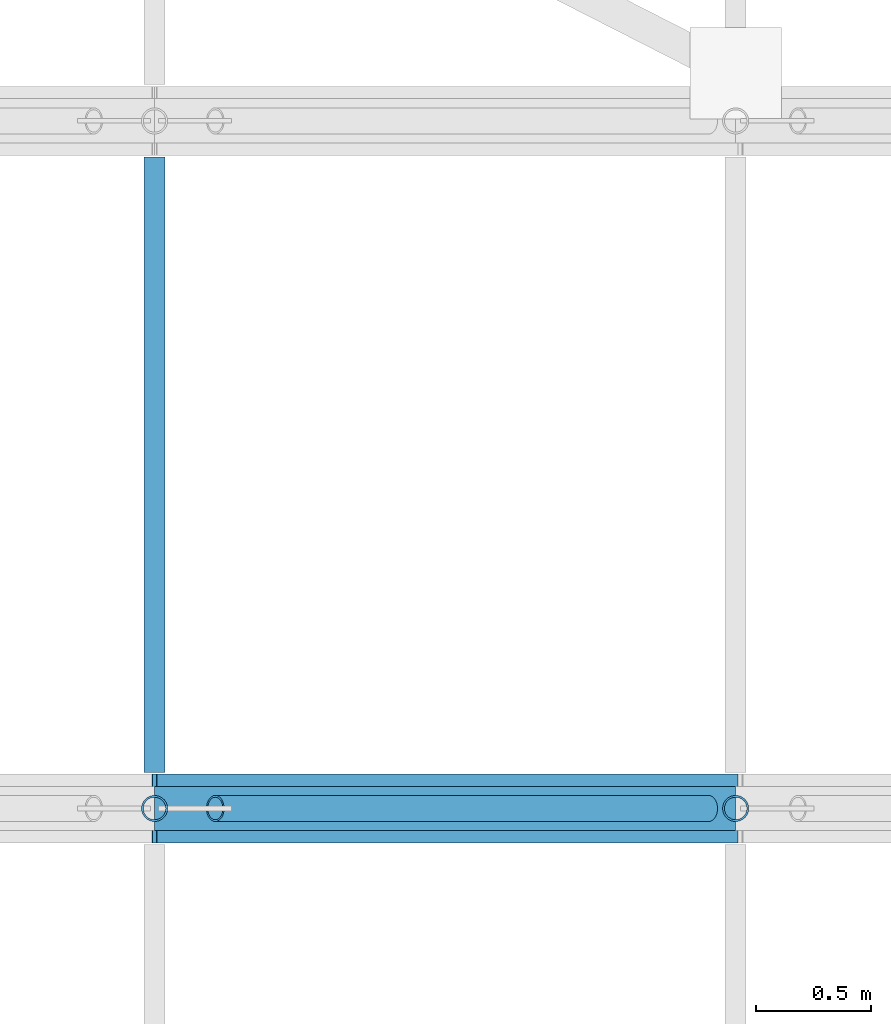
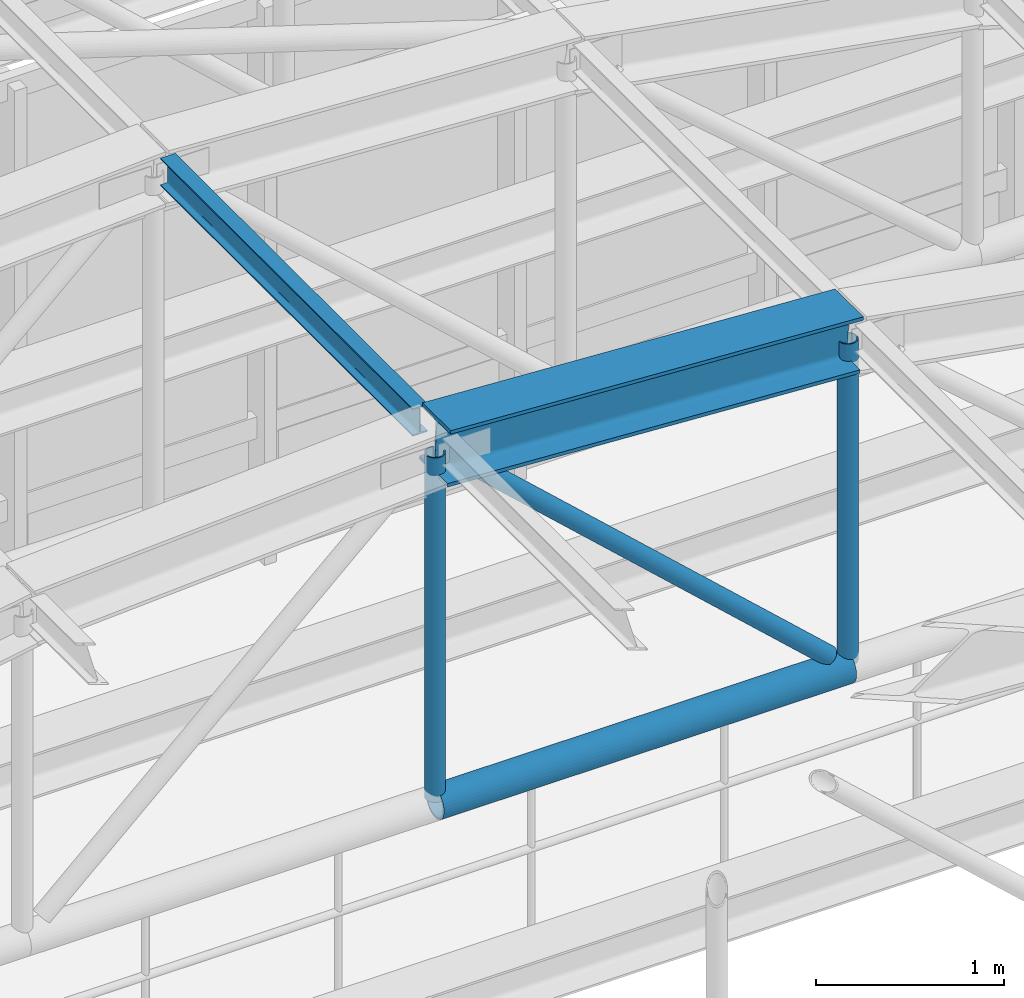
# One storey, part 66 of 148: 4 members, 2 beams.
"""IFC4 building model written with IfcOpenShell, lengths in metres."""

from ifc_helpers import new_model, si_unit, direction, frame, origin, origin_2d, place, context, subcontext, project, spatial, hollow_circle, i_section, extrude, material, material_profile, profile_set, type_object, element, save


model = new_model("IFC4")

# Units and contexts
model_context = context("Model", 3, precision=1e-05, world=origin(), true_north=direction((0.0, 1.0)))
body_context = subcontext(model_context, "Body", "Model", "MODEL_VIEW")
ifc_project = project(units=[si_unit("LENGTHUNIT", "METRE"), si_unit("AREAUNIT", "SQUARE_METRE"), si_unit("VOLUMEUNIT", "CUBIC_METRE"), si_unit("PLANEANGLEUNIT", "RADIAN"), si_unit("MASSUNIT", "GRAM", prefix="KILO"), si_unit("THERMODYNAMICTEMPERATUREUNIT", "KELVIN"), si_unit("POWERUNIT", "WATT")], contexts=[model_context])

# Site, building, storey
site_placement = place(None, origin())
site = spatial("IfcSite", under=ifc_project, at=site_placement, CompositionType="ELEMENT")
building_placement = place(site_placement, origin())
building = spatial("IfcBuilding", under=site, at=building_placement, Name="Solvatero Civic Police Headquarters", CompositionType="ELEMENT")
storey_placement = place(building_placement, frame((0.0, 0.0, 5.10009765625)))
storey = spatial("IfcBuildingStorey", under=building, at=storey_placement, Name="L01", CompositionType="ELEMENT", Elevation=5.10009765625)

# Beams
ifc_material = material(Name="Steel S355", Category="steel")
ifc_material_profile_1 = material_profile(ifc_material, i_section(OverallWidth=0.300048828125, OverallDepth=0.360107421875, WebThickness=0.012451171875, FlangeThickness=0.0224609375, FilletRadius=0.027099609375, at=origin_2d()), Name="HEB 360")
ifc_profile_set_1 = profile_set([ifc_material_profile_1], Name="Steel S355")
beam_type_1 = type_object("IfcBeamType", Name="BM-ST-HEB360", PredefinedType="BEAM", material=ifc_profile_set_1)
beam_1_placement = place(storey_placement, frame((76.800048828125, 53.5, 7.459228515625), z_axis=(0.99830210262, 0.0, -0.058248707316), x_axis=(0.0, 1.0, 0.0)))
element("IfcBeam", 1, at=beam_1_placement, inside=storey, type_object=beam_type_1, Name="VLT2 Tied-Arch Vault Top Chord F5.6", PredefinedType="BEAM", context=body_context, shape_type="SweptSolid", body=[
    extrude(i_section(OverallWidth=0.300048828125, OverallDepth=0.360107421875, WebThickness=0.012451171875, FlangeThickness=0.0224609375, FilletRadius=0.027099609375, at=origin_2d()), origin(), (0.0, 0.0, 1.0), 2.5400390625),
])
ifc_material_profile_2 = material_profile(ifc_material, i_section(OverallWidth=0.091064453125, OverallDepth=0.179931640625, WebThickness=0.00537109375, FlangeThickness=0.008056640625, FilletRadius=0.009033203125, at=origin_2d()), Name="IPE 180")
ifc_profile_set_2 = profile_set([ifc_material_profile_2], Name="Steel S355")
beam_type_2 = type_object("IfcBeamType", Name="BM-ST-IPE180", PredefinedType="JOIST", material=ifc_profile_set_2)
beam_2_placement = place(storey_placement, frame((76.800048828125, 53.657958984375, 7.524658203125), z_axis=(0.0, 1.0, 0.0), x_axis=(-1.0, 0.0, 0.0)))
element("IfcBeam", 2, at=beam_2_placement, inside=storey, type_object=beam_type_2, Name="VLT2 Vault Roof Purlin B5.5", PredefinedType="JOIST", context=body_context, shape_type="SweptSolid", body=[
    extrude(i_section(OverallWidth=0.091064453125, OverallDepth=0.179931640625, WebThickness=0.00537109375, FlangeThickness=0.008056640625, FilletRadius=0.009033203125, at=origin_2d()), origin(), (0.0, 0.0, 1.0), 2.68408203125),
])

# Members
ifc_material_profile_3 = material_profile(ifc_material, hollow_circle(Radius=0.05712890625, WallThickness=0.008056640625, at=origin_2d()), Name="CHS 114.3x8.0")
ifc_profile_set_3 = profile_set([ifc_material_profile_3], Name="Steel S355")
member_type_1 = type_object("IfcMemberType", Name="MB-HNG-CHS114", PredefinedType="STRUT", material=ifc_profile_set_3)
member_1_placement = place(storey_placement, frame((79.218017578125, 53.5, 5.244384765625), z_axis=(-0.736703146359, 0.0, 0.676216292428), x_axis=(0.0, -1.0, 0.0)))
element("IfcMember", 3, at=member_1_placement, inside=storey, type_object=member_type_1, Name="VLT2 Vault Truss Diagonal Web F5.5", PredefinedType="STRUT", context=body_context, shape_type="SweptSolid", body=[
    extrude(hollow_circle(Radius=0.05712890625, WallThickness=0.008056640625, at=origin_2d()), origin(), (0.0, 0.0, 1.0), 2.92236328125),
])
member_2_placement = place(storey_placement, frame((76.800048828125, 53.5, 5.17626953125), z_axis=(0.0, 0.0, 1.0), x_axis=(1.0, 0.0, 0.0)))
element("IfcMember", 4, at=member_2_placement, inside=storey, type_object=member_type_1, Name="VLT2 Vault Vertical Hanger F5.5", PredefinedType="STRUT", context=body_context, shape_type="SweptSolid", body=[
    extrude(hollow_circle(Radius=0.05712890625, WallThickness=0.008056640625, at=origin_2d()), origin(), (0.0, 0.0, 1.0), 2.237548828125),
])
member_3_placement = place(storey_placement, frame((79.335693359375, 53.5, 5.17626953125), z_axis=(0.0, 0.0, 1.0), x_axis=(1.0, 0.0, 0.0)))
element("IfcMember", 5, at=member_3_placement, inside=storey, type_object=member_type_1, Name="VLT2 Vault Vertical Hanger F5.6", PredefinedType="STRUT", context=body_context, shape_type="SweptSolid", body=[
    extrude(hollow_circle(Radius=0.05712890625, WallThickness=0.008056640625, at=origin_2d()), origin(), (0.0, 0.0, 1.0), 2.089599609375),
])
ifc_material_profile_4 = material_profile(ifc_material, hollow_circle(Radius=0.096923828125, WallThickness=0.010009765625, at=origin_2d()), Name="CHS 193.7x10.0")
ifc_profile_set_4 = profile_set([ifc_material_profile_4], Name="Steel S355")
member_type_2 = type_object("IfcMemberType", Name="MB-TIE-CHS194", PredefinedType="CHORD", material=ifc_profile_set_4)
member_4_placement = place(storey_placement, frame((76.800048828125, 53.5, 5.13623046875), z_axis=(1.0, 0.0, 0.0), x_axis=(0.0, 1.0, 0.0)))
element("IfcMember", 6, at=member_4_placement, inside=storey, type_object=member_type_2, Name="VLT2 Vault Horizontal Tie Chord F5.5", PredefinedType="CHORD", context=body_context, shape_type="SweptSolid", body=[
    extrude(hollow_circle(Radius=0.096923828125, WallThickness=0.010009765625, at=origin_2d()), origin(), (0.0, 0.0, 1.0), 2.53564453125),
])

save(model, "model.ifc")
